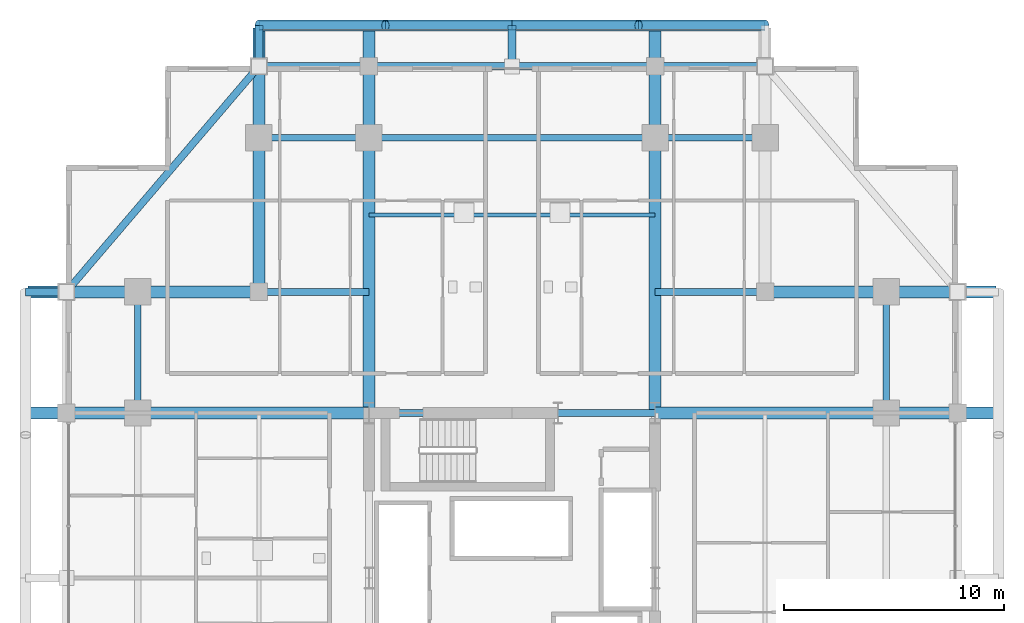
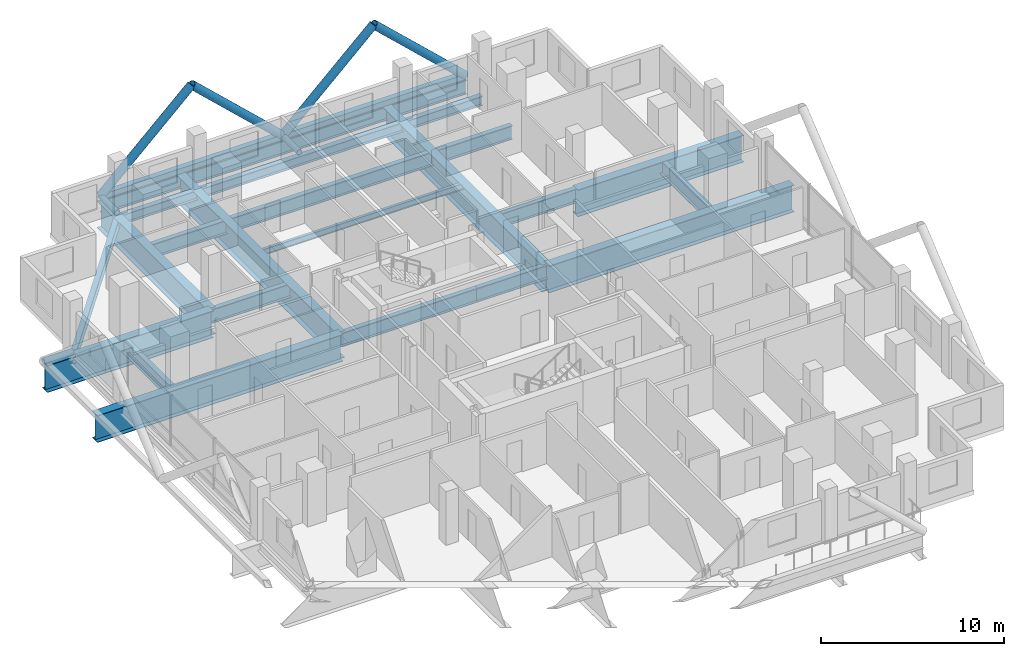
# One storey, part 11 of 21: 22 beams, 9 members.
"""IFC4 building model written with IfcOpenShell, lengths in metres."""

import ifcopenshell
import ifcopenshell.guid

model = None  # the IFC model being written
_history = None  # IfcOwnerHistory: only IFC2X3 demands one
_inside = {}  # id of a spatial element -> (the spatial element, [elements in it])
_under = {}  # id of a project, library or spatial element -> (it, [spatial elements below it])
_declared = {}  # id of a project -> (the project, [libraries it declares])
_typed = {}  # id of a type object -> (the type object, [elements of that type])
_made_of = {}  # id of a material, layer set ... -> (it, [elements and type objects made of it])


def new_model(schema):
    """Start an empty IFC model of exactly this schema.

    Asked for "IFC4X3", IfcOpenShell would pick the latest addendum, in which some entities
    have other attributes; the version numbers below select the first issue.
    IFC2X3 requires an IfcOwnerHistory on every rooted entity: one is made here for all.
    """
    global model, _history
    if schema == "IFC4X3":
        model = ifcopenshell.file(schema_version=(4, 3, 0, 0))
    else:
        model = ifcopenshell.file(schema=schema)
    _inside.clear()
    _under.clear()
    _declared.clear()
    _typed.clear()
    _made_of.clear()
    _history = None
    if model.schema == "IFC2X3":
        org = make("IfcOrganization", Name="unknown")
        user = make(
            "IfcPersonAndOrganization",
            ThePerson=make("IfcPerson", FamilyName="unknown"),
            TheOrganization=org,
        )
        app = make(
            "IfcApplication",
            ApplicationDeveloper=org,
            Version="unknown",
            ApplicationFullName="unknown",
            ApplicationIdentifier="unknown",
        )
        _history = make(
            "IfcOwnerHistory",
            OwningUser=user,
            OwningApplication=app,
            ChangeAction="ADDED",
            CreationDate=0,
        )
    return model


def make(cls, **values):
    """One entity of the class cls with the attributes given. An attribute that is None is left unset."""
    return model.create_entity(
        cls, **{name: value for name, value in values.items() if value is not None}
    )


def rooted(cls, **values):
    """An entity with a GlobalId (a new one), such as an element, a storey or a relation."""
    return make(cls, GlobalId=ifcopenshell.guid.new(), OwnerHistory=_history, **values)


def si_unit(unit_type, name, prefix=None):
    """IfcSIUnit, for example si_unit("LENGTHUNIT", "METRE", prefix="MILLI")."""
    return make("IfcSIUnit", UnitType=unit_type, Prefix=prefix, Name=name)


def assignment(units):
    """IfcUnitAssignment: the units of a project."""
    return None if units is None else make("IfcUnitAssignment", Units=units)


def point(xyz):
    """IfcCartesianPoint."""
    return None if xyz is None else make("IfcCartesianPoint", Coordinates=xyz)


def direction(xyz):
    """IfcDirection."""
    return None if xyz is None else make("IfcDirection", DirectionRatios=xyz)


def frame(location, z_axis=None, x_axis=None):
    """IfcAxis2Placement3D, a coordinate frame: its origin and axes. An axis left out is left unset."""
    return make(
        "IfcAxis2Placement3D",
        Location=point(location),
        Axis=direction(z_axis),
        RefDirection=direction(x_axis),
    )


def frame_2d(location, x_axis=None):
    """IfcAxis2Placement2D, a coordinate frame in the plane: its origin and x axis."""
    return make(
        "IfcAxis2Placement2D", Location=point(location), RefDirection=direction(x_axis)
    )


def origin():
    """The frame at (0, 0, 0) with its axes left unset."""
    return frame((0.0, 0.0, 0.0))


def origin_2d():
    """The frame at (0, 0) in the plane with its x axis left unset."""
    return frame_2d((0.0, 0.0))


def place(relative_to, where):
    """IfcLocalPlacement: puts the frame where relative to a parent placement (None: the world)."""
    return make(
        "IfcLocalPlacement", PlacementRelTo=relative_to, RelativePlacement=where
    )


def context(
    kind, dimensions, precision=None, world=None, true_north=None, identifier=None
):
    """IfcGeometricRepresentationContext, for example the 3D "Model" context."""
    return make(
        "IfcGeometricRepresentationContext",
        ContextIdentifier=identifier,
        ContextType=kind,
        CoordinateSpaceDimension=dimensions,
        Precision=precision,
        WorldCoordinateSystem=world,
        TrueNorth=true_north,
    )


def subcontext(parent, identifier, kind, view, scale=None):
    """IfcGeometricRepresentationSubContext, for example "Body" below "Model"."""
    return make(
        "IfcGeometricRepresentationSubContext",
        ContextIdentifier=identifier,
        ContextType=kind,
        ParentContext=parent,
        TargetScale=scale,
        TargetView=view,
    )


def project(units=None, contexts=None):
    """IfcProject with its units and contexts."""
    return rooted(
        "IfcProject",
        Name="project",
        RepresentationContexts=contexts,
        UnitsInContext=assignment(units),
    )


def spatial(cls, under=None, at=None, **own):
    """A site, building, storey or space (cls), placed at a placement, below another one or the project."""
    s = rooted(cls, ObjectPlacement=at, **own)
    if under is not None:
        _under.setdefault(under.id(), (under, []))[1].append(s)
    return s


def profile(cls, at=None, kind="AREA", **sizes):
    """A parametric profile (cls). Its sizes go by their IFC names, for example OverallWidth=200.0."""
    return make(cls, ProfileType=kind, Position=at, **sizes)


def hollow_rectangle(**sizes):
    """IfcRectangleHollowProfileDef."""
    return profile("IfcRectangleHollowProfileDef", **sizes)


def hollow_circle(**sizes):
    """IfcCircleHollowProfileDef."""
    return profile("IfcCircleHollowProfileDef", **sizes)


def i_section(**sizes):
    """IfcIShapeProfileDef."""
    return profile("IfcIShapeProfileDef", **sizes)


def extrude(swept, where, along, depth):
    """IfcExtrudedAreaSolid: the profile swept, set in the frame where, extruded along a direction by depth."""
    return make(
        "IfcExtrudedAreaSolid",
        SweptArea=swept,
        Position=where,
        ExtrudedDirection=direction(along),
        Depth=depth,
    )


def shape(context_of_items, identifier, shape_type, items):
    """IfcShapeRepresentation: the items that make up one representation, for example the "Body"."""
    return make(
        "IfcShapeRepresentation",
        ContextOfItems=context_of_items,
        RepresentationIdentifier=identifier,
        RepresentationType=shape_type,
        Items=items,
    )


def material(Name=None, Category=None):
    """IfcMaterial."""
    return make("IfcMaterial", Name=Name, Category=Category)


def material_profile(
    of_material, cross_section, Name=None, Category=None, Priority=None
):
    """IfcMaterialProfile: a cross section and its material."""
    return make(
        "IfcMaterialProfile",
        Name=Name,
        Material=of_material,
        Profile=cross_section,
        Priority=Priority,
        Category=Category,
    )


def profile_set(profiles, Name=None, composite=None):
    """IfcMaterialProfileSet."""
    return make(
        "IfcMaterialProfileSet",
        Name=Name,
        MaterialProfiles=profiles,
        CompositeProfile=composite,
    )


def made_of(thing, what):
    """Note that an element or type object is made of a material, layer set ...; save() writes the relation."""
    if what is not None:
        _made_of.setdefault(what.id(), (what, []))[1].append(thing)
    return thing


def type_object(cls, material=None, **own):
    """A type object (cls), such as IfcWallType, which elements share."""
    return made_of(rooted(cls, **own), material)


def element(
    cls,
    number,
    at=None,
    inside=None,
    cuts=None,
    type_object=None,
    material=None,
    context=None,
    identifier="Body",
    shape_type=None,
    held_by="IfcProductDefinitionShape",
    body=None,
    shapes=None,
    **own,
):
    """One element of the class cls, such as IfcWall. Its Tag is "e" and its number.

    at: its placement. inside: the storey or other place that contains it. cuts: it is an
    opening in that element (IfcRelVoidsElement). A single representation is given by context,
    identifier, shape_type and body (its items); several are given by shapes. held_by: the class
    of the entity that holds the representations. save() writes the other relations.
    """
    e = rooted(cls, Tag="e%d" % number, ObjectPlacement=at, **own)
    if body is not None:
        shapes = [shape(context, identifier, shape_type, body)]
    if shapes is not None:
        e.Representation = make(held_by, Representations=shapes)
    if inside is not None:
        _inside.setdefault(inside.id(), (inside, []))[1].append(e)
    if cuts is not None:
        rooted(
            "IfcRelVoidsElement", RelatingBuildingElement=cuts, RelatedOpeningElement=e
        )
    if type_object is not None:
        _typed.setdefault(type_object.id(), (type_object, []))[1].append(e)
    return made_of(e, material)


def aggregate(whole, parts):
    """IfcRelAggregates: a whole, such as a stair, and the parts it consists of."""
    return rooted("IfcRelAggregates", RelatingObject=whole, RelatedObjects=parts)


def save(model, path):
    """Write the relations noted so far, then the file.

    IfcRelAggregates (storeys below a building ...), IfcRelContainedInSpatialStructure (elements
    in a storey), IfcRelDefinesByType, IfcRelAssociatesMaterial and IfcRelDeclares: one each for
    every whole, place, type object, material and project.
    """
    for whole, parts in _under.values():
        aggregate(whole, parts)
    for where, things in _inside.values():
        rooted(
            "IfcRelContainedInSpatialStructure",
            RelatedElements=things,
            RelatingStructure=where,
        )
    for kind, things in _typed.values():
        rooted("IfcRelDefinesByType", RelatedObjects=things, RelatingType=kind)
    for what, things in _made_of.values():
        rooted("IfcRelAssociatesMaterial", RelatedObjects=things, RelatingMaterial=what)
    for by, libraries in _declared.values():
        rooted("IfcRelDeclares", RelatingContext=by, RelatedDefinitions=libraries)
    model.write(path)


model = new_model("IFC4")

# Units and contexts
model_context = context("Model", 3, precision=1e-05, world=origin(), true_north=direction((0.0, 1.0)))
body_context = subcontext(model_context, "Body", "Model", "MODEL_VIEW")
ifc_project = project(units=[si_unit("LENGTHUNIT", "METRE"), si_unit("AREAUNIT", "SQUARE_METRE"), si_unit("VOLUMEUNIT", "CUBIC_METRE"), si_unit("PLANEANGLEUNIT", "RADIAN"), si_unit("MASSUNIT", "GRAM", prefix="KILO")], contexts=[model_context])

# Site, building, storey
site_placement = place(None, origin())
site = spatial("IfcSite", under=ifc_project, at=site_placement, CompositionType="ELEMENT")
building_placement = place(site_placement, origin())
building = spatial("IfcBuilding", under=site, at=building_placement, Name="Barlavira Tower and Art Museum", CompositionType="ELEMENT")
storey_placement = place(building_placement, frame((0.0, 0.0, 99.0)))
storey = spatial("IfcBuildingStorey", under=building, at=storey_placement, Name="L24", CompositionType="ELEMENT", Elevation=99.0)

# Members
ifc_material = material(Name="Steel S355", Category="steel")
ifc_material_profile_1 = material_profile(ifc_material, hollow_circle(Radius=0.25390625, WallThickness=0.022216796875, at=origin_2d()), Name="CHS 508.0x22.2")
ifc_profile_set_1 = profile_set([ifc_material_profile_1], Name="Steel S355")
member_type_1 = type_object("IfcMemberType", Name="Pale-Metal Exoskeleton Diagrid Tube CHS 508x22 Steel S355", PredefinedType="BRACE", material=ifc_profile_set_1)
for number, where, z_axis, x_axis, name in (
    (1, (-11.5, 25.10009765625, -0.1201171875), (0.728934650808, 0.0, 0.684583285548), (0.0, 1.0, 0.0), "L24 Exoskeleton Diagrid Tube N"),
    (2, (0.0, 25.10009765625, -0.1201171875), (-0.728934650808, 0.0, 0.684583285548), (0.0, -1.0, 0.0), "L24 Exoskeleton Diagrid Tube N"),
    (3, (0.0, 25.10009765625, -0.1201171875), (0.728934650808, 0.0, 0.684583285548), (0.0, 1.0, 0.0), "L24 Exoskeleton Diagrid Tube N"),
    (4, (11.5, 25.10009765625, -0.1201171875), (-0.728934650808, 0.0, 0.684583285548), (0.0, -1.0, 0.0), "L24 Exoskeleton Diagrid Tube N"),
):
    element("IfcMember", number, at=place(storey_placement, frame(where, z_axis=z_axis, x_axis=x_axis)), inside=storey, type_object=member_type_1, Name=name, PredefinedType="BRACE", context=body_context, shape_type="SweptSolid", body=[
        extrude(hollow_circle(Radius=0.25390625, WallThickness=0.022216796875, at=origin_2d()), origin(), (0.0, 0.0, 1.0), 7.88818359375),
    ])
ifc_material_profile_2 = material_profile(ifc_material, hollow_rectangle(XDim=0.35009765625, YDim=0.35009765625, WallThickness=0.02001953125, at=origin_2d()), Name="SHS 350x350x20.0")
ifc_profile_set_2 = profile_set([ifc_material_profile_2], Name="Steel S355")
member_type_2 = type_object("IfcMemberType", Name="Pale-Metal Exoskeleton Ring Strut SHS 350x350x20 Steel S355", PredefinedType="STRUT", material=ifc_profile_set_2)
for number, where, z_axis, x_axis, name in (
    (5, (-11.5, 25.10009765625, -0.1201171875), (1.0, 0.0, 0.0), (0.0, 1.0, 0.0), "L24 Exoskeleton Ring Strut N"),
    (6, (0.0, 25.10009765625, -0.1201171875), (1.0, 0.0, 0.0), (0.0, 1.0, 0.0), "L24 Exoskeleton Ring Strut N"),
):
    element("IfcMember", number, at=place(storey_placement, frame(where, z_axis=z_axis, x_axis=x_axis)), inside=storey, type_object=member_type_2, Name=name, PredefinedType="STRUT", context=body_context, shape_type="SweptSolid", body=[
        extrude(hollow_rectangle(XDim=0.35009765625, YDim=0.35009765625, WallThickness=0.02001953125, at=origin_2d()), origin(), (0.0, 0.0, 1.0), 11.5),
    ])
ifc_material_profile_3 = material_profile(ifc_material, hollow_circle(Radius=0.177734375, WallThickness=0.01611328125, at=origin_2d()), Name="CHS 355.6x16.0")
ifc_profile_set_3 = profile_set([ifc_material_profile_3], Name="Steel S355")
member_type_3 = type_object("IfcMemberType", Name="Pale-Metal Exoskeleton Tie Strut CHS 356x16 Steel S355", PredefinedType="STRUT", material=ifc_profile_set_3)
for number, where, z_axis, x_axis, name in (
    (7, (-11.5, 25.10009765625, -0.1201171875), (0.0, -1.0, 0.0), (1.0, 0.0, 0.0), "L24 Exoskeleton Tie Strut N1"),
    (8, (0.0, 25.10009765625, -0.1201171875), (0.0, -1.0, 0.0), (1.0, 0.0, 0.0), "L24 Exoskeleton Tie Strut N2"),
    (9, (-22.10009765625, 13.0, -0.1201171875), (1.0, 0.0, 0.0), (0.0, 1.0, 0.0), "L24 Exoskeleton Tie Strut W3"),
):
    element("IfcMember", number, at=place(storey_placement, frame(where, z_axis=z_axis, x_axis=x_axis)), inside=storey, type_object=member_type_3, Name=name, PredefinedType="STRUT", context=body_context, shape_type="SweptSolid", body=[
        extrude(hollow_circle(Radius=0.177734375, WallThickness=0.01611328125, at=origin_2d()), origin(), (0.0, 0.0, 1.0), 1.85009765625),
    ])

# Beams
ifc_material_profile_4 = material_profile(ifc_material, i_section(OverallWidth=0.327880859375, OverallDepth=0.62890625, WebThickness=0.013916015625, FlangeThickness=0.021484375, at=origin_2d()), Name="W610x174.0")
ifc_profile_set_4 = profile_set([ifc_material_profile_4], Name="Steel S355")
beam_type_1 = type_object("IfcBeamType", Name="Perimeter Spandrel Edge Beam W610x174 Steel S355", PredefinedType="SPANDREL", material=ifc_profile_set_4)
beam_1_placement = place(storey_placement, frame((6.5, 23.25, -0.614501953125), z_axis=(1.0, 0.0, 0.0), x_axis=(0.0, 1.0, 0.0)))
element("IfcBeam", 10, at=beam_1_placement, inside=storey, type_object=beam_type_1, Name="L24 Spandrel 9", PredefinedType="SPANDREL", context=body_context, shape_type="SweptSolid", body=[
    extrude(i_section(OverallWidth=0.327880859375, OverallDepth=0.62890625, WebThickness=0.013916015625, FlangeThickness=0.021484375, at=origin_2d()), origin(), (0.0, 0.0, 1.0), 5.0),
])
beam_2_placement = place(storey_placement, frame((-6.5, 23.25, -0.614501953125), z_axis=(1.0, 0.0, 0.0), x_axis=(0.0, 1.0, 0.0)))
element("IfcBeam", 11, at=beam_2_placement, inside=storey, type_object=beam_type_1, Name="L24 Spandrel 10", PredefinedType="SPANDREL", context=body_context, shape_type="SweptSolid", body=[
    extrude(i_section(OverallWidth=0.327880859375, OverallDepth=0.62890625, WebThickness=0.013916015625, FlangeThickness=0.021484375, at=origin_2d()), origin(), (0.0, 0.0, 1.0), 13.0),
])
beam_3_placement = place(storey_placement, frame((-11.5, 23.25, -0.614501953125), z_axis=(1.0, 0.0, 0.0), x_axis=(0.0, 1.0, 0.0)))
element("IfcBeam", 12, at=beam_3_placement, inside=storey, type_object=beam_type_1, Name="L24 Spandrel 11", PredefinedType="SPANDREL", context=body_context, shape_type="SweptSolid", body=[
    extrude(i_section(OverallWidth=0.327880859375, OverallDepth=0.62890625, WebThickness=0.013916015625, FlangeThickness=0.021484375, at=origin_2d()), origin(), (0.0, 0.0, 1.0), 5.0),
])
beam_4_placement = place(storey_placement, frame((-11.5, 23.25, -0.614501953125), z_axis=(-0.649262379928, -0.760564502202, 0.0), x_axis=(0.760564502202, -0.649262379928, 0.0)))
element("IfcBeam", 13, at=beam_4_placement, inside=storey, type_object=beam_type_1, Name="L24 Spandrel 12", PredefinedType="SPANDREL", context=body_context, shape_type="SweptSolid", body=[
    extrude(i_section(OverallWidth=0.327880859375, OverallDepth=0.62890625, WebThickness=0.013916015625, FlangeThickness=0.021484375, at=origin_2d()), origin(), (0.0, 0.0, 1.0), 13.476806640625),
])
ifc_material_profile_5 = material_profile(ifc_material, i_section(OverallWidth=0.30908203125, OverallDepth=0.931884765625, WebThickness=0.01953125, FlangeThickness=0.034423828125, at=origin_2d()), Name="W920x313.0")
ifc_profile_set_5 = profile_set([ifc_material_profile_5], Name="Steel S355")
beam_type_2 = type_object("IfcBeamType", Name="Setback Ring Girder W920x313 Steel S355", PredefinedType="BEAM", material=ifc_profile_set_5)
beam_5_placement = place(storey_placement, frame((-6.5, 7.5, -0.76611328125), z_axis=(1.0, 0.0, 0.0), x_axis=(0.0, 1.0, 0.0)))
element("IfcBeam", 14, at=beam_5_placement, inside=storey, type_object=beam_type_2, Name="L24 Girder C-N1", PredefinedType="BEAM", context=body_context, shape_type="SweptSolid", body=[
    extrude(i_section(OverallWidth=0.30908203125, OverallDepth=0.931884765625, WebThickness=0.01953125, FlangeThickness=0.034423828125, at=origin_2d()), origin(), (0.0, 0.0, 1.0), 8.580078125),
])
beam_6_placement = place(storey_placement, frame((2.080078125, 7.5, -0.76611328125), z_axis=(1.0, 0.0, 0.0), x_axis=(0.0, 1.0, 0.0)))
element("IfcBeam", 15, at=beam_6_placement, inside=storey, type_object=beam_type_2, Name="L24 Girder C-N2", PredefinedType="BEAM", context=body_context, shape_type="SweptSolid", body=[
    extrude(i_section(OverallWidth=0.30908203125, OverallDepth=0.931884765625, WebThickness=0.01953125, FlangeThickness=0.034423828125, at=origin_2d()), origin(), (0.0, 0.0, 1.0), 4.419921875),
])
beam_7_placement = place(storey_placement, frame((-11.5, 20.0, -0.76611328125), z_axis=(1.0, 0.0, 0.0), x_axis=(0.0, 1.0, 0.0)))
element("IfcBeam", 16, at=beam_7_placement, inside=storey, type_object=beam_type_2, Name="L24 Girder M-N1", PredefinedType="BEAM", context=body_context, shape_type="SweptSolid", body=[
    extrude(i_section(OverallWidth=0.30908203125, OverallDepth=0.931884765625, WebThickness=0.01953125, FlangeThickness=0.034423828125, at=origin_2d()), origin(), (0.0, 0.0, 1.0), 5.0),
])
beam_8_placement = place(storey_placement, frame((-6.5, 20.0, -0.76611328125), z_axis=(1.0, 0.0, 0.0), x_axis=(0.0, 1.0, 0.0)))
element("IfcBeam", 17, at=beam_8_placement, inside=storey, type_object=beam_type_2, Name="L24 Girder M-N2", PredefinedType="BEAM", context=body_context, shape_type="SweptSolid", body=[
    extrude(i_section(OverallWidth=0.30908203125, OverallDepth=0.931884765625, WebThickness=0.01953125, FlangeThickness=0.034423828125, at=origin_2d()), origin(), (0.0, 0.0, 1.0), 13.0),
])
beam_9_placement = place(storey_placement, frame((6.5, 20.0, -0.76611328125), z_axis=(1.0, 0.0, 0.0), x_axis=(0.0, 1.0, 0.0)))
element("IfcBeam", 18, at=beam_9_placement, inside=storey, type_object=beam_type_2, Name="L24 Girder M-N3", PredefinedType="BEAM", context=body_context, shape_type="SweptSolid", body=[
    extrude(i_section(OverallWidth=0.30908203125, OverallDepth=0.931884765625, WebThickness=0.01953125, FlangeThickness=0.034423828125, at=origin_2d()), origin(), (0.0, 0.0, 1.0), 5.0),
])
for number, where, z_axis, x_axis, name in (
    (19, (-17.0, 7.5, -0.76611328125), (0.0, 1.0, 0.0), (-1.0, 0.0, 0.0), "L24 Girder M-W3"),
    (20, (17.0, 7.5, -0.76611328125), (0.0, 1.0, 0.0), (-1.0, 0.0, 0.0), "L24 Girder M-E3"),
):
    element("IfcBeam", number, at=place(storey_placement, frame(where, z_axis=z_axis, x_axis=x_axis)), inside=storey, type_object=beam_type_2, Name=name, PredefinedType="BEAM", context=body_context, shape_type="SweptSolid", body=[
        extrude(i_section(OverallWidth=0.30908203125, OverallDepth=0.931884765625, WebThickness=0.01953125, FlangeThickness=0.034423828125, at=origin_2d()), origin(), (0.0, 0.0, 1.0), 5.5),
    ])
for number, where, z_axis, x_axis, name in (
    (21, (-11.5, 13.0, -0.76611328125), (1.0, 0.0, 0.0), (0.0, 1.0, 0.0), "L24 Girder I-N2"),
    (22, (6.5, 13.0, -0.76611328125), (1.0, 0.0, 0.0), (0.0, 1.0, 0.0), "L24 Girder I-N3"),
):
    element("IfcBeam", number, at=place(storey_placement, frame(where, z_axis=z_axis, x_axis=x_axis)), inside=storey, type_object=beam_type_2, Name=name, PredefinedType="BEAM", context=body_context, shape_type="SweptSolid", body=[
        extrude(i_section(OverallWidth=0.30908203125, OverallDepth=0.931884765625, WebThickness=0.01953125, FlangeThickness=0.034423828125, at=origin_2d()), origin(), (0.0, 0.0, 1.0), 5.0),
    ])
beam_10_placement = place(storey_placement, frame((-11.5, 25.0, -0.76611328125), z_axis=(1.0, 0.0, 0.0), x_axis=(0.0, 1.0, 0.0)))
element("IfcBeam", 23, at=beam_10_placement, inside=storey, type_object=beam_type_2, Name="L24 North Setback Terrace Edge Beam", PredefinedType="BEAM", context=body_context, shape_type="SweptSolid", body=[
    extrude(i_section(OverallWidth=0.30908203125, OverallDepth=0.931884765625, WebThickness=0.01953125, FlangeThickness=0.034423828125, at=origin_2d()), origin(), (0.0, 0.0, 1.0), 23.0),
])
ifc_material_profile_6 = material_profile(ifc_material, i_section(OverallWidth=0.179931640625, OverallDepth=0.4130859375, WebThickness=0.009765625, FlangeThickness=0.01611328125, at=origin_2d()), Name="W410x75.0")
ifc_profile_set_6 = profile_set([ifc_material_profile_6], Name="Steel S355")
beam_type_3 = type_object("IfcBeamType", Name="Zone 2 Composite Floor Joist W410x75 Steel S355", PredefinedType="JOIST", material=ifc_profile_set_6)
beam_11_placement = place(storey_placement, frame((-6.5, 16.5, -0.506591796875), z_axis=(1.0, 0.0, 0.0), x_axis=(0.0, 1.0, 0.0)))
element("IfcBeam", 24, at=beam_11_placement, inside=storey, type_object=beam_type_3, Name="L24 Joist C2", PredefinedType="JOIST", context=body_context, shape_type="SweptSolid", body=[
    extrude(i_section(OverallWidth=0.179931640625, OverallDepth=0.4130859375, WebThickness=0.009765625, FlangeThickness=0.01611328125, at=origin_2d()), origin(), (0.0, 0.0, 1.0), 13.0),
])
ifc_material_profile_7 = material_profile(ifc_material, i_section(OverallWidth=0.550048828125, OverallDepth=1.800048828125, WebThickness=0.02587890625, FlangeThickness=0.033935546875, at=origin_2d()), Name="CVS1800x520")
ifc_profile_set_7 = profile_set([ifc_material_profile_7], Name="Steel S355")
beam_type_4 = type_object("IfcBeamType", Name="Zone Setback Transfer Girder CVS1800x520 Steel S355", PredefinedType="USERDEFINED", material=ifc_profile_set_7)
beam_12_placement = place(storey_placement, frame((-11.5, 13.0, -1.199951171875), z_axis=(0.0, 1.0, 0.0), x_axis=(-1.0, 0.0, 0.0)))
element("IfcBeam", 25, at=beam_12_placement, inside=storey, type_object=beam_type_4, Name="L24 Setback Transfer Girder TGL24-04", ObjectType="TRANSFER GIRDER", PredefinedType="USERDEFINED", context=body_context, shape_type="SweptSolid", body=[
    extrude(i_section(OverallWidth=0.550048828125, OverallDepth=1.800048828125, WebThickness=0.02587890625, FlangeThickness=0.033935546875, at=origin_2d()), origin(), (0.0, 0.0, 1.0), 12.0),
])
for number, where, z_axis, x_axis, name in (
    (26, (-6.5, 7.5, -1.199951171875), (0.0, 1.0, 0.0), (-1.0, 0.0, 0.0), "L24 Setback Transfer Girder TGL24-05A"),
    (27, (6.5, 7.5, -1.199951171875), (0.0, 1.0, 0.0), (-1.0, 0.0, 0.0), "L24 Setback Transfer Girder TGL24-05B"),
):
    element("IfcBeam", number, at=place(storey_placement, frame(where, z_axis=z_axis, x_axis=x_axis)), inside=storey, type_object=beam_type_4, Name=name, ObjectType="TRANSFER GIRDER", PredefinedType="USERDEFINED", context=body_context, shape_type="SweptSolid", body=[
        extrude(i_section(OverallWidth=0.550048828125, OverallDepth=1.800048828125, WebThickness=0.02587890625, FlangeThickness=0.033935546875, at=origin_2d()), origin(), (0.0, 0.0, 1.0), 17.5),
    ])
beam_13_placement = place(storey_placement, frame((-22.0, 7.5, -1.199951171875), z_axis=(1.0, 0.0, 0.0), x_axis=(0.0, 1.0, 0.0)))
element("IfcBeam", 28, at=beam_13_placement, inside=storey, type_object=beam_type_4, Name="L24 Setback Transfer Girder TGL24-08B", ObjectType="TRANSFER GIRDER", PredefinedType="USERDEFINED", context=body_context, shape_type="SweptSolid", body=[
    extrude(i_section(OverallWidth=0.550048828125, OverallDepth=1.800048828125, WebThickness=0.02587890625, FlangeThickness=0.033935546875, at=origin_2d()), origin(), (0.0, 0.0, 1.0), 15.5),
])
beam_14_placement = place(storey_placement, frame((-22.0, 13.0, -1.199951171875), z_axis=(1.0, 0.0, 0.0), x_axis=(0.0, 1.0, 0.0)))
element("IfcBeam", 29, at=beam_14_placement, inside=storey, type_object=beam_type_4, Name="L24 Setback Transfer Girder TGL24-09", ObjectType="TRANSFER GIRDER", PredefinedType="USERDEFINED", context=body_context, shape_type="SweptSolid", body=[
    extrude(i_section(OverallWidth=0.550048828125, OverallDepth=1.800048828125, WebThickness=0.02587890625, FlangeThickness=0.033935546875, at=origin_2d()), origin(), (0.0, 0.0, 1.0), 10.5),
])
beam_15_placement = place(storey_placement, frame((6.5, 7.5, -1.199951171875), z_axis=(1.0, 0.0, 0.0), x_axis=(0.0, 1.0, 0.0)))
element("IfcBeam", 30, at=beam_15_placement, inside=storey, type_object=beam_type_4, Name="L24 Setback Transfer Girder TGL24-11B", ObjectType="TRANSFER GIRDER", PredefinedType="USERDEFINED", context=body_context, shape_type="SweptSolid", body=[
    extrude(i_section(OverallWidth=0.550048828125, OverallDepth=1.800048828125, WebThickness=0.02587890625, FlangeThickness=0.033935546875, at=origin_2d()), origin(), (0.0, 0.0, 1.0), 15.5),
])
beam_16_placement = place(storey_placement, frame((11.5, 13.0, -1.199951171875), z_axis=(1.0, 0.0, 0.0), x_axis=(0.0, 1.0, 0.0)))
element("IfcBeam", 31, at=beam_16_placement, inside=storey, type_object=beam_type_4, Name="L24 Setback Transfer Girder TGL24-12", ObjectType="TRANSFER GIRDER", PredefinedType="USERDEFINED", context=body_context, shape_type="SweptSolid", body=[
    extrude(i_section(OverallWidth=0.550048828125, OverallDepth=1.800048828125, WebThickness=0.02587890625, FlangeThickness=0.033935546875, at=origin_2d()), origin(), (0.0, 0.0, 1.0), 10.5),
])

save(model, "model.ifc")
